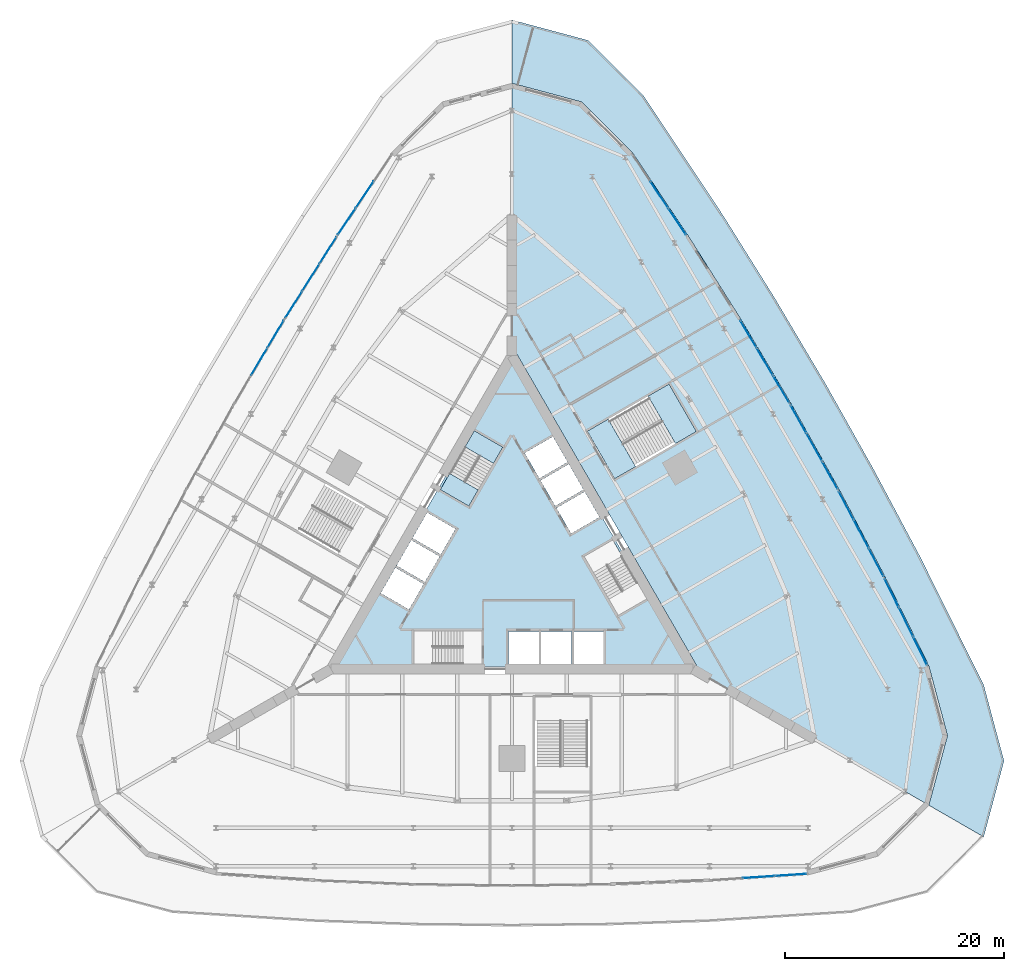
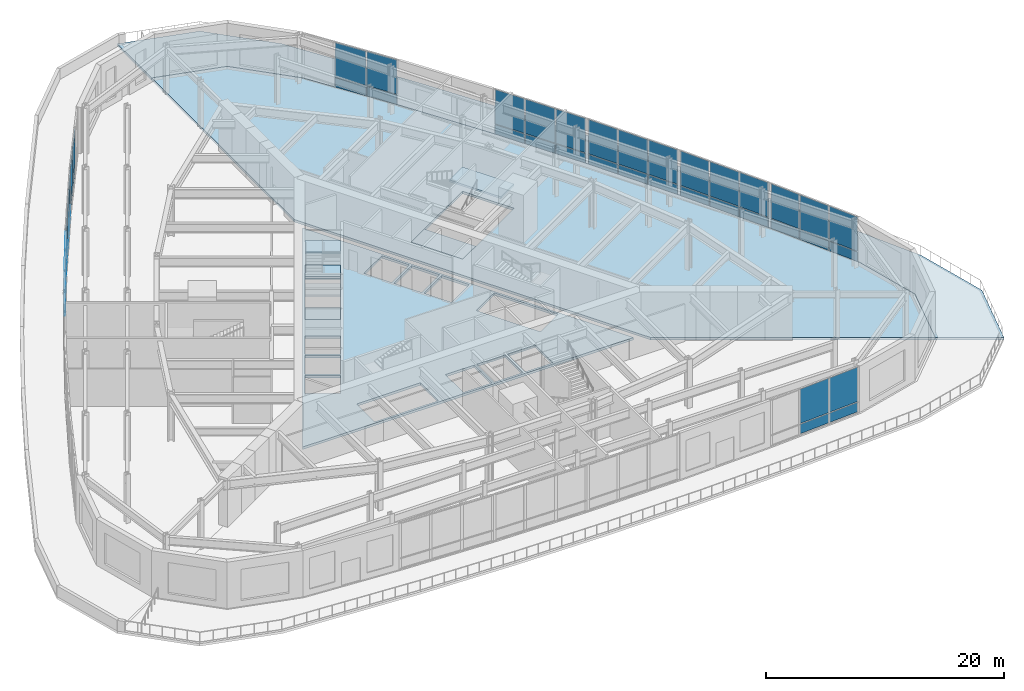
# One storey, part 11 of 20: 46 plates, 9 slabs, 11 elements without a shape of their own.
"""IFC4 building model written with IfcOpenShell, lengths in metres."""

from ifc_helpers import new_model, si_unit, direction, frame, origin, origin_2d, place, context, subcontext, project, spatial, polyline, rectangle, outline, extrude, material, layer, layer_set, type_object, element, aggregate, save


model = new_model("IFC4")

# Units and contexts
model_context = context("Model", 3, precision=1e-05, world=origin(), true_north=direction((0.0, 1.0)))
body_context = subcontext(model_context, "Body", "Model", "MODEL_VIEW")
ifc_project = project(units=[si_unit("LENGTHUNIT", "METRE"), si_unit("AREAUNIT", "SQUARE_METRE"), si_unit("VOLUMEUNIT", "CUBIC_METRE"), si_unit("PLANEANGLEUNIT", "RADIAN"), si_unit("MASSUNIT", "GRAM", prefix="KILO")], contexts=[model_context])

# Site, building, storey
site_placement = place(None, origin())
site = spatial("IfcSite", under=ifc_project, at=site_placement, CompositionType="ELEMENT")
building_placement = place(site_placement, origin())
building = spatial("IfcBuilding", under=site, at=building_placement, Name="Trikona Tower", CompositionType="ELEMENT")
storey_placement = place(building_placement, frame((0.0, 0.0, 6.0)))
storey = spatial("IfcBuildingStorey", under=building, at=storey_placement, Name="L01", CompositionType="ELEMENT", Elevation=6.0)

# Slabs
ifc_material_1 = material(Name="Concrete f'c 5000 psi lightweight on composite steel deck", Category="concrete")
ifc_layer_1 = layer(ifc_material_1, 0.25)
ifc_layer_set_1 = layer_set([ifc_layer_1], Name="Composite floor slab 250")
slab_type_1 = type_object("IfcSlabType", Name="Composite floor slab 250", PredefinedType="FLOOR", material=ifc_layer_set_1)
slab_1_placement = place(storey_placement, frame((0.0, 0.0, -0.25)))
element("IfcSlab", 1, at=slab_1_placement, inside=storey, type_object=slab_type_1, Name="Floor slab L01 core", PredefinedType="FLOOR", context=body_context, shape_type="SweptSolid", body=[
    extrude(outline(polyline([(-16.06689453125, -9.2763671875), (16.06689453125, -9.2763671875), (0.0, 18.552490234375), (-16.06689453125, -9.2763671875)]), holes=[polyline([(9.687255859375, -4.626220703125), (12.285400390625, -3.126220703125), (9.185302734375, 2.2431640625), (6.587158203125, 0.7431640625), (9.687255859375, -4.626220703125)]), polyline([(5.659912109375, -9.06640625), (8.340087890625, -9.06640625), (8.340087890625, -6.086181640625), (5.659912109375, -6.086181640625), (5.659912109375, -9.06640625)]), polyline([(4.05078125, 5.15625), (5.390869140625, 2.835205078125), (7.9716796875, 4.3251953125), (6.631591796875, 6.646240234375), (4.05078125, 5.15625)]), polyline([(5.181640625, 9.15771484375), (2.600830078125, 7.667724609375), (3.94091796875, 5.3466796875), (6.521484375, 6.8369140625), (5.181640625, 9.15771484375)]), polyline([(5.43994140625, -9.06640625), (5.43994140625, -6.086181640625), (2.659912109375, -6.086181640625), (2.659912109375, -9.06640625), (5.43994140625, -9.06640625)]), polyline([(5.071533203125, 9.34814453125), (3.731689453125, 11.669189453125), (1.15087890625, 10.17919921875), (2.490966796875, 7.858154296875), (5.071533203125, 9.34814453125)]), polyline([(2.43994140625, -6.086181640625), (-0.340087890625, -6.086181640625), (-0.340087890625, -9.06640625), (2.43994140625, -9.06640625), (2.43994140625, -6.086181640625)]), polyline([(-0.837158203125, 10.702392578125), (-3.435302734375, 12.202392578125), (-6.535400390625, 6.8330078125), (-3.937255859375, 5.3330078125), (-0.837158203125, 10.702392578125)]), polyline([(-8.949951171875, -6.076416015625), (-8.949951171875, -9.076416015625), (-2.75, -9.076416015625), (-2.75, -6.076416015625), (-8.949951171875, -6.076416015625)]), polyline([(-6.490966796875, 0.929931640625), (-5.15087890625, 3.2509765625), (-7.731689453125, 4.740966796875), (-9.071533203125, 2.419921875), (-6.490966796875, 0.929931640625)]), polyline([(-10.521484375, -0.09130859375), (-7.94091796875, -1.581298828125), (-6.600830078125, 0.739501953125), (-9.181640625, 2.2294921875), (-10.521484375, -0.09130859375)]), polyline([(-10.631591796875, -0.281982421875), (-11.9716796875, -2.602783203125), (-9.390869140625, -4.093017578125), (-8.05078125, -1.77197265625), (-10.631591796875, -0.281982421875)])]), origin(), (0.0, 0.0, 1.0), 0.25),
])
slab_2_placement = place(storey_placement, frame((0.0, 0.0, -0.25)))
element("IfcSlab", 2, at=slab_2_placement, inside=storey, type_object=slab_type_1, Name="Floor slab L01 north-east", PredefinedType="FLOOR", context=body_context, shape_type="SweptSolid", body=[
    extrude(outline(polyline([(25.435302734375, 14.68505859375), (20.831298828125, 22.419189453125), (16.01953125, 30.033447265625), (11.0, 37.52783203125), (6.350830078125, 42.177001953125), (0.0, 43.878662109375), (0.0, 19.95263671875), (17.279296875, -9.976318359375), (38.0, -21.939208984375), (39.70166015625, -15.58837890625), (38.0, -9.237548828125), (34.01953125, -1.143310546875), (29.831298828125, 6.830810546875), (25.435302734375, 14.68505859375)]), holes=[polyline([(9.364990234375, 7.831787109375), (16.81298828125, 12.1318359375), (14.31298828125, 16.4619140625), (6.864990234375, 12.161865234375), (9.364990234375, 7.831787109375)])]), origin(), (0.0, 0.0, 1.0), 0.25),
])

# Curtain wall, plates
ifc_material_2 = material(Name="Aluminium curtain wall system", Category="aluminium")
curtain_wall_type = type_object("IfcCurtainWallType", Name="Curtain wall PD", PredefinedType="NOTDEFINED", material=ifc_material_2)
curtain_wall_1_placement = place(storey_placement, origin())
curtain_wall_1 = element("IfcCurtainWall", 3, at=curtain_wall_1_placement, inside=storey, type_object=curtain_wall_type, Name="Curtain wall PD L01", PredefinedType="NOTDEFINED")
ifc_material_3 = material(Name="Clear insulating glass unit", Category="glass")
ifc_layer_2 = layer(ifc_material_3, 0.028076171875)
ifc_layer_set_2 = layer_set([ifc_layer_2], Name="Glass panel PD")
plate_type = type_object("IfcPlateType", Name="Glass panel PD", PredefinedType="CURTAIN_PANEL", material=ifc_layer_set_2)
plate_1_placement = place(storey_placement, frame((22.493408203125, -28.490478515625, 0.08984375), z_axis=(0.0, 0.0, 1.0), x_axis=(0.997785307004, 0.066516773278, 0.0)))
plate_1 = element("IfcPlate", 4, at=plate_1_placement, type_object=plate_type, Name="CW-PD panel 2.1", PredefinedType="CURTAIN_PANEL", context=body_context, shape_type="SweptSolid", body=[
    extrude(rectangle(XDim=2.876708984375, YDim=0.028076171875, at=origin_2d()), origin(), (0.0, 0.0, 1.0), 0.965087890625),
])
plate_2_placement = place(storey_placement, frame((22.493408203125, -28.490478515625, 1.14501953125), z_axis=(0.0, 0.0, 1.0), x_axis=(0.997785307004, 0.066516773278, 0.0)))
plate_2 = element("IfcPlate", 5, at=plate_2_placement, type_object=plate_type, Name="CW-PD panel 2.2", PredefinedType="CURTAIN_PANEL", context=body_context, shape_type="SweptSolid", body=[
    extrude(rectangle(XDim=2.876708984375, YDim=0.028076171875, at=origin_2d()), origin(), (0.0, 0.0, 1.0), 3.514892578125),
])
plate_3_placement = place(storey_placement, frame((25.430908203125, -28.294677734375, 0.08984375), z_axis=(0.0, 0.0, 1.0), x_axis=(0.997785307004, 0.066516773278, 0.0)))
plate_3 = element("IfcPlate", 6, at=plate_3_placement, type_object=plate_type, Name="CW-PD panel 3.1", PredefinedType="CURTAIN_PANEL", context=body_context, shape_type="SweptSolid", body=[
    extrude(rectangle(XDim=2.831787109375, YDim=0.028076171875, at=origin_2d()), origin(), (0.0, 0.0, 1.0), 0.965087890625),
])
plate_4_placement = place(storey_placement, frame((25.430908203125, -28.294677734375, 1.14501953125), z_axis=(0.0, 0.0, 1.0), x_axis=(0.997785307004, 0.066516773278, 0.0)))
plate_4 = element("IfcPlate", 7, at=plate_4_placement, type_object=plate_type, Name="CW-PD panel 3.2", PredefinedType="CURTAIN_PANEL", context=body_context, shape_type="SweptSolid", body=[
    extrude(rectangle(XDim=2.831787109375, YDim=0.028076171875, at=origin_2d()), origin(), (0.0, 0.0, 1.0), 3.514892578125),
])
aggregate(curtain_wall_1, [plate_1, plate_2, plate_3, plate_4])

curtain_wall_2_placement = place(storey_placement, origin())
curtain_wall_2 = element("IfcCurtainWall", 8, at=curtain_wall_2_placement, inside=storey, type_object=curtain_wall_type, Name="Curtain wall PD L01", PredefinedType="NOTDEFINED")
plate_5_placement = place(storey_placement, frame((37.21923828125, -7.876708984375, 0.08984375), z_axis=(0.0, 0.0, 1.0), x_axis=(-0.44129369895, 0.897362731155, 0.0)))
plate_5 = element("IfcPlate", 9, at=plate_5_placement, type_object=plate_type, Name="CW-PD panel 1.1", PredefinedType="CURTAIN_PANEL", context=body_context, shape_type="SweptSolid", body=[
    extrude(rectangle(XDim=2.83154296875, YDim=0.028076171875, at=origin_2d()), origin(), (0.0, 0.0, 1.0), 0.965087890625),
])
plate_6_placement = place(storey_placement, frame((37.21923828125, -7.876708984375, 1.14501953125), z_axis=(0.0, 0.0, 1.0), x_axis=(-0.44129369895, 0.897362731155, 0.0)))
plate_6 = element("IfcPlate", 10, at=plate_6_placement, type_object=plate_type, Name="CW-PD panel 1.2", PredefinedType="CURTAIN_PANEL", context=body_context, shape_type="SweptSolid", body=[
    extrude(rectangle(XDim=2.83154296875, YDim=0.028076171875, at=origin_2d()), origin(), (0.0, 0.0, 1.0), 3.514892578125),
])
plate_7_placement = place(storey_placement, frame((35.920166015625, -5.234619140625, 0.08984375), z_axis=(0.0, 0.0, 1.0), x_axis=(-0.44129369895, 0.897362731155, 0.0)))
plate_7 = element("IfcPlate", 11, at=plate_7_placement, type_object=plate_type, Name="CW-PD panel 2.1", PredefinedType="CURTAIN_PANEL", context=body_context, shape_type="SweptSolid", body=[
    extrude(rectangle(XDim=2.876708984375, YDim=0.028076171875, at=origin_2d()), origin(), (0.0, 0.0, 1.0), 0.965087890625),
])
plate_8_placement = place(storey_placement, frame((35.920166015625, -5.234619140625, 1.14501953125), z_axis=(0.0, 0.0, 1.0), x_axis=(-0.44129369895, 0.897362731155, 0.0)))
plate_8 = element("IfcPlate", 12, at=plate_8_placement, type_object=plate_type, Name="CW-PD panel 2.2", PredefinedType="CURTAIN_PANEL", context=body_context, shape_type="SweptSolid", body=[
    extrude(rectangle(XDim=2.876708984375, YDim=0.028076171875, at=origin_2d()), origin(), (0.0, 0.0, 1.0), 3.514892578125),
])
plate_9_placement = place(storey_placement, frame((34.620849609375, -2.5927734375, 0.08984375), z_axis=(0.0, 0.0, 1.0), x_axis=(-0.44129369895, 0.897362731155, 0.0)))
plate_9 = element("IfcPlate", 13, at=plate_9_placement, type_object=plate_type, Name="CW-PD panel 3.1", PredefinedType="CURTAIN_PANEL", context=body_context, shape_type="SweptSolid", body=[
    extrude(rectangle(XDim=2.83154296875, YDim=0.028076171875, at=origin_2d()), origin(), (0.0, 0.0, 1.0), 0.965087890625),
])
plate_10_placement = place(storey_placement, frame((34.620849609375, -2.5927734375, 1.14501953125), z_axis=(0.0, 0.0, 1.0), x_axis=(-0.44129369895, 0.897362731155, 0.0)))
plate_10 = element("IfcPlate", 14, at=plate_10_placement, type_object=plate_type, Name="CW-PD panel 3.2", PredefinedType="CURTAIN_PANEL", context=body_context, shape_type="SweptSolid", body=[
    extrude(rectangle(XDim=2.83154296875, YDim=0.028076171875, at=origin_2d()), origin(), (0.0, 0.0, 1.0), 3.514892578125),
])
aggregate(curtain_wall_2, [plate_5, plate_6, plate_7, plate_8, plate_9, plate_10])

curtain_wall_3_placement = place(storey_placement, origin())
curtain_wall_3 = element("IfcCurtainWall", 15, at=curtain_wall_3_placement, inside=storey, type_object=curtain_wall_type, Name="Curtain wall PD L01", PredefinedType="NOTDEFINED")
plate_11_placement = place(storey_placement, frame((33.2041015625, 0.194580078125, 0.08984375), z_axis=(0.0, 0.0, 1.0), x_axis=(-0.464979215476, 0.88532159647, 0.0)))
plate_11 = element("IfcPlate", 16, at=plate_11_placement, type_object=plate_type, Name="CW-PD panel 1.1", PredefinedType="CURTAIN_PANEL", context=body_context, shape_type="SweptSolid", body=[
    extrude(rectangle(XDim=2.827392578125, YDim=0.028076171875, at=origin_2d()), origin(), (0.0, 0.0, 1.0), 0.965087890625),
])
plate_12_placement = place(storey_placement, frame((33.2041015625, 0.194580078125, 1.14501953125), z_axis=(0.0, 0.0, 1.0), x_axis=(-0.464979215476, 0.88532159647, 0.0)))
plate_12 = element("IfcPlate", 17, at=plate_12_placement, type_object=plate_type, Name="CW-PD panel 1.2", PredefinedType="CURTAIN_PANEL", context=body_context, shape_type="SweptSolid", body=[
    extrude(rectangle(XDim=2.827392578125, YDim=0.028076171875, at=origin_2d()), origin(), (0.0, 0.0, 1.0), 3.514892578125),
])
plate_13_placement = place(storey_placement, frame((31.8369140625, 2.79736328125, 0.08984375), z_axis=(0.0, 0.0, 1.0), x_axis=(-0.464979215476, 0.88532159647, 0.0)))
plate_13 = element("IfcPlate", 18, at=plate_13_placement, type_object=plate_type, Name="CW-PD panel 2.1", PredefinedType="CURTAIN_PANEL", context=body_context, shape_type="SweptSolid", body=[
    extrude(rectangle(XDim=2.872314453125, YDim=0.028076171875, at=origin_2d()), origin(), (0.0, 0.0, 1.0), 0.965087890625),
])
plate_14_placement = place(storey_placement, frame((31.8369140625, 2.79736328125, 1.14501953125), z_axis=(0.0, 0.0, 1.0), x_axis=(-0.464979215476, 0.88532159647, 0.0)))
plate_14 = element("IfcPlate", 19, at=plate_14_placement, type_object=plate_type, Name="CW-PD panel 2.2", PredefinedType="CURTAIN_PANEL", context=body_context, shape_type="SweptSolid", body=[
    extrude(rectangle(XDim=2.872314453125, YDim=0.028076171875, at=origin_2d()), origin(), (0.0, 0.0, 1.0), 3.514892578125),
])
plate_15_placement = place(storey_placement, frame((30.469970703125, 5.400146484375, 0.08984375), z_axis=(0.0, 0.0, 1.0), x_axis=(-0.464979215476, 0.88532159647, 0.0)))
plate_15 = element("IfcPlate", 20, at=plate_15_placement, type_object=plate_type, Name="CW-PD panel 3.1", PredefinedType="CURTAIN_PANEL", context=body_context, shape_type="SweptSolid", body=[
    extrude(rectangle(XDim=2.827392578125, YDim=0.028076171875, at=origin_2d()), origin(), (0.0, 0.0, 1.0), 0.965087890625),
])
plate_16_placement = place(storey_placement, frame((30.469970703125, 5.400146484375, 1.14501953125), z_axis=(0.0, 0.0, 1.0), x_axis=(-0.464979215476, 0.88532159647, 0.0)))
plate_16 = element("IfcPlate", 21, at=plate_16_placement, type_object=plate_type, Name="CW-PD panel 3.2", PredefinedType="CURTAIN_PANEL", context=body_context, shape_type="SweptSolid", body=[
    extrude(rectangle(XDim=2.827392578125, YDim=0.028076171875, at=origin_2d()), origin(), (0.0, 0.0, 1.0), 3.514892578125),
])
aggregate(curtain_wall_3, [plate_11, plate_12, plate_13, plate_14, plate_15, plate_16])

curtain_wall_4_placement = place(storey_placement, origin())
curtain_wall_4 = element("IfcCurtainWall", 22, at=curtain_wall_4_placement, inside=storey, type_object=curtain_wall_type, Name="Curtain wall PD L01", PredefinedType="NOTDEFINED")
plate_17_placement = place(storey_placement, frame((28.98095703125, 8.1455078125, 0.08984375), z_axis=(0.0, 0.0, 1.0), x_axis=(-0.488413057825, 0.872612562908, 0.0)))
plate_17 = element("IfcPlate", 23, at=plate_17_placement, type_object=plate_type, Name="CW-PD panel 1.1", PredefinedType="CURTAIN_PANEL", context=body_context, shape_type="SweptSolid", body=[
    extrude(rectangle(XDim=2.8251953125, YDim=0.028076171875, at=origin_2d()), origin(), (0.0, 0.0, 1.0), 0.965087890625),
])
plate_18_placement = place(storey_placement, frame((28.98095703125, 8.1455078125, 1.14501953125), z_axis=(0.0, 0.0, 1.0), x_axis=(-0.488413057825, 0.872612562908, 0.0)))
plate_18 = element("IfcPlate", 24, at=plate_18_placement, type_object=plate_type, Name="CW-PD panel 1.2", PredefinedType="CURTAIN_PANEL", context=body_context, shape_type="SweptSolid", body=[
    extrude(rectangle(XDim=2.8251953125, YDim=0.028076171875, at=origin_2d()), origin(), (0.0, 0.0, 1.0), 3.514892578125),
])
plate_19_placement = place(storey_placement, frame((27.546142578125, 10.709228515625, 0.08984375), z_axis=(0.0, 0.0, 1.0), x_axis=(-0.488413057825, 0.872612562908, 0.0)))
plate_19 = element("IfcPlate", 25, at=plate_19_placement, type_object=plate_type, Name="CW-PD panel 2.1", PredefinedType="CURTAIN_PANEL", context=body_context, shape_type="SweptSolid", body=[
    extrude(rectangle(XDim=2.870361328125, YDim=0.028076171875, at=origin_2d()), origin(), (0.0, 0.0, 1.0), 0.965087890625),
])
plate_20_placement = place(storey_placement, frame((27.546142578125, 10.709228515625, 1.14501953125), z_axis=(0.0, 0.0, 1.0), x_axis=(-0.488413057825, 0.872612562908, 0.0)))
plate_20 = element("IfcPlate", 26, at=plate_20_placement, type_object=plate_type, Name="CW-PD panel 2.2", PredefinedType="CURTAIN_PANEL", context=body_context, shape_type="SweptSolid", body=[
    extrude(rectangle(XDim=2.870361328125, YDim=0.028076171875, at=origin_2d()), origin(), (0.0, 0.0, 1.0), 3.514892578125),
])
plate_21_placement = place(storey_placement, frame((26.111083984375, 13.272705078125, 0.08984375), z_axis=(0.0, 0.0, 1.0), x_axis=(-0.488413057825, 0.872612562908, 0.0)))
plate_21 = element("IfcPlate", 27, at=plate_21_placement, type_object=plate_type, Name="CW-PD panel 3.1", PredefinedType="CURTAIN_PANEL", context=body_context, shape_type="SweptSolid", body=[
    extrude(rectangle(XDim=2.8251953125, YDim=0.028076171875, at=origin_2d()), origin(), (0.0, 0.0, 1.0), 0.965087890625),
])
plate_22_placement = place(storey_placement, frame((26.111083984375, 13.272705078125, 1.14501953125), z_axis=(0.0, 0.0, 1.0), x_axis=(-0.488413057825, 0.872612562908, 0.0)))
plate_22 = element("IfcPlate", 28, at=plate_22_placement, type_object=plate_type, Name="CW-PD panel 3.2", PredefinedType="CURTAIN_PANEL", context=body_context, shape_type="SweptSolid", body=[
    extrude(rectangle(XDim=2.8251953125, YDim=0.028076171875, at=origin_2d()), origin(), (0.0, 0.0, 1.0), 3.514892578125),
])
aggregate(curtain_wall_4, [plate_17, plate_18, plate_19, plate_20, plate_21, plate_22])

curtain_wall_5_placement = place(storey_placement, origin())
curtain_wall_5 = element("IfcCurtainWall", 29, at=curtain_wall_5_placement, inside=storey, type_object=curtain_wall_type, Name="Curtain wall PD L01", PredefinedType="NOTDEFINED")
plate_23_placement = place(storey_placement, frame((24.550048828125, 15.9765625, 0.08984375), z_axis=(0.0, 0.0, 1.0), x_axis=(-0.511498706873, 0.859284046673, 0.0)))
plate_23 = element("IfcPlate", 30, at=plate_23_placement, type_object=plate_type, Name="CW-PD panel 1.1", PredefinedType="CURTAIN_PANEL", context=body_context, shape_type="SweptSolid", body=[
    extrude(rectangle(XDim=2.8251953125, YDim=0.028076171875, at=origin_2d()), origin(), (0.0, 0.0, 1.0), 0.965087890625),
])
plate_24_placement = place(storey_placement, frame((24.550048828125, 15.9765625, 1.14501953125), z_axis=(0.0, 0.0, 1.0), x_axis=(-0.511498706873, 0.859284046673, 0.0)))
plate_24 = element("IfcPlate", 31, at=plate_24_placement, type_object=plate_type, Name="CW-PD panel 1.2", PredefinedType="CURTAIN_PANEL", context=body_context, shape_type="SweptSolid", body=[
    extrude(rectangle(XDim=2.8251953125, YDim=0.028076171875, at=origin_2d()), origin(), (0.0, 0.0, 1.0), 3.514892578125),
])
plate_25_placement = place(storey_placement, frame((23.04736328125, 18.5009765625, 0.08984375), z_axis=(0.0, 0.0, 1.0), x_axis=(-0.511498706873, 0.859284046673, 0.0)))
plate_25 = element("IfcPlate", 32, at=plate_25_placement, type_object=plate_type, Name="CW-PD panel 2.1", PredefinedType="CURTAIN_PANEL", context=body_context, shape_type="SweptSolid", body=[
    extrude(rectangle(XDim=2.870361328125, YDim=0.028076171875, at=origin_2d()), origin(), (0.0, 0.0, 1.0), 0.965087890625),
])
plate_26_placement = place(storey_placement, frame((23.04736328125, 18.5009765625, 1.14501953125), z_axis=(0.0, 0.0, 1.0), x_axis=(-0.511498706873, 0.859284046673, 0.0)))
plate_26 = element("IfcPlate", 33, at=plate_26_placement, type_object=plate_type, Name="CW-PD panel 2.2", PredefinedType="CURTAIN_PANEL", context=body_context, shape_type="SweptSolid", body=[
    extrude(rectangle(XDim=2.870361328125, YDim=0.028076171875, at=origin_2d()), origin(), (0.0, 0.0, 1.0), 3.514892578125),
])
plate_27_placement = place(storey_placement, frame((21.544677734375, 21.025390625, 0.08984375), z_axis=(0.0, 0.0, 1.0), x_axis=(-0.511498706873, 0.859284046673, 0.0)))
plate_27 = element("IfcPlate", 34, at=plate_27_placement, type_object=plate_type, Name="CW-PD panel 3.1", PredefinedType="CURTAIN_PANEL", context=body_context, shape_type="SweptSolid", body=[
    extrude(rectangle(XDim=2.8251953125, YDim=0.028076171875, at=origin_2d()), origin(), (0.0, 0.0, 1.0), 0.965087890625),
])
plate_28_placement = place(storey_placement, frame((21.544677734375, 21.025390625, 1.14501953125), z_axis=(0.0, 0.0, 1.0), x_axis=(-0.511498706873, 0.859284046673, 0.0)))
plate_28 = element("IfcPlate", 35, at=plate_28_placement, type_object=plate_type, Name="CW-PD panel 3.2", PredefinedType="CURTAIN_PANEL", context=body_context, shape_type="SweptSolid", body=[
    extrude(rectangle(XDim=2.8251953125, YDim=0.028076171875, at=origin_2d()), origin(), (0.0, 0.0, 1.0), 3.514892578125),
])
aggregate(curtain_wall_5, [plate_23, plate_24, plate_25, plate_26, plate_27, plate_28])

curtain_wall_6_placement = place(storey_placement, origin())
curtain_wall_6 = element("IfcCurtainWall", 36, at=curtain_wall_6_placement, inside=storey, type_object=curtain_wall_type, Name="Curtain wall PD L01", PredefinedType="NOTDEFINED")
plate_29_placement = place(storey_placement, frame((15.065185546875, 31.27880859375, 0.08984375), z_axis=(0.0, 0.0, 1.0), x_axis=(-0.556493198213, 0.830852165155, 0.0)))
plate_29 = element("IfcPlate", 37, at=plate_29_placement, type_object=plate_type, Name="CW-PD panel 1.1", PredefinedType="CURTAIN_PANEL", context=body_context, shape_type="SweptSolid", body=[
    extrude(rectangle(XDim=2.831787109375, YDim=0.028076171875, at=origin_2d()), origin(), (0.0, 0.0, 1.0), 0.965087890625),
])
plate_30_placement = place(storey_placement, frame((15.065185546875, 31.27880859375, 1.14501953125), z_axis=(0.0, 0.0, 1.0), x_axis=(-0.556493198213, 0.830852165155, 0.0)))
plate_30 = element("IfcPlate", 38, at=plate_30_placement, type_object=plate_type, Name="CW-PD panel 1.2", PredefinedType="CURTAIN_PANEL", context=body_context, shape_type="SweptSolid", body=[
    extrude(rectangle(XDim=2.831787109375, YDim=0.028076171875, at=origin_2d()), origin(), (0.0, 0.0, 1.0), 3.514892578125),
])
plate_31_placement = place(storey_placement, frame((13.4267578125, 33.72509765625, 0.08984375), z_axis=(0.0, 0.0, 1.0), x_axis=(-0.556493198213, 0.830852165155, 0.0)))
plate_31 = element("IfcPlate", 39, at=plate_31_placement, type_object=plate_type, Name="CW-PD panel 2.1", PredefinedType="CURTAIN_PANEL", context=body_context, shape_type="SweptSolid", body=[
    extrude(rectangle(XDim=2.876708984375, YDim=0.028076171875, at=origin_2d()), origin(), (0.0, 0.0, 1.0), 0.965087890625),
])
plate_32_placement = place(storey_placement, frame((13.4267578125, 33.72509765625, 1.14501953125), z_axis=(0.0, 0.0, 1.0), x_axis=(-0.556493198213, 0.830852165155, 0.0)))
plate_32 = element("IfcPlate", 40, at=plate_32_placement, type_object=plate_type, Name="CW-PD panel 2.2", PredefinedType="CURTAIN_PANEL", context=body_context, shape_type="SweptSolid", body=[
    extrude(rectangle(XDim=2.876708984375, YDim=0.028076171875, at=origin_2d()), origin(), (0.0, 0.0, 1.0), 3.514892578125),
])
aggregate(curtain_wall_6, [plate_29, plate_30, plate_31, plate_32])

curtain_wall_7_placement = place(storey_placement, origin())
curtain_wall_7 = element("IfcCurtainWall", 41, at=curtain_wall_7_placement, inside=storey, type_object=curtain_wall_type, Name="Curtain wall PD L01", PredefinedType="NOTDEFINED")
plate_33_placement = place(storey_placement, frame((-13.4267578125, 33.72509765625, 0.08984375), z_axis=(0.0, 0.0, 1.0), x_axis=(-0.556493198213, -0.830852165155, 0.0)))
plate_33 = element("IfcPlate", 42, at=plate_33_placement, type_object=plate_type, Name="CW-PD panel 2.1", PredefinedType="CURTAIN_PANEL", context=body_context, shape_type="SweptSolid", body=[
    extrude(rectangle(XDim=2.876708984375, YDim=0.028076171875, at=origin_2d()), origin(), (0.0, 0.0, 1.0), 0.965087890625),
])
plate_34_placement = place(storey_placement, frame((-13.4267578125, 33.72509765625, 1.14501953125), z_axis=(0.0, 0.0, 1.0), x_axis=(-0.556493198213, -0.830852165155, 0.0)))
plate_34 = element("IfcPlate", 43, at=plate_34_placement, type_object=plate_type, Name="CW-PD panel 2.2", PredefinedType="CURTAIN_PANEL", context=body_context, shape_type="SweptSolid", body=[
    extrude(rectangle(XDim=2.876708984375, YDim=0.028076171875, at=origin_2d()), origin(), (0.0, 0.0, 1.0), 3.514892578125),
])
plate_35_placement = place(storey_placement, frame((-15.065185546875, 31.27880859375, 0.08984375), z_axis=(0.0, 0.0, 1.0), x_axis=(-0.556493198213, -0.830852165155, 0.0)))
plate_35 = element("IfcPlate", 44, at=plate_35_placement, type_object=plate_type, Name="CW-PD panel 3.1", PredefinedType="CURTAIN_PANEL", context=body_context, shape_type="SweptSolid", body=[
    extrude(rectangle(XDim=2.831787109375, YDim=0.028076171875, at=origin_2d()), origin(), (0.0, 0.0, 1.0), 0.965087890625),
])
plate_36_placement = place(storey_placement, frame((-15.065185546875, 31.27880859375, 1.14501953125), z_axis=(0.0, 0.0, 1.0), x_axis=(-0.556493198213, -0.830852165155, 0.0)))
plate_36 = element("IfcPlate", 45, at=plate_36_placement, type_object=plate_type, Name="CW-PD panel 3.2", PredefinedType="CURTAIN_PANEL", context=body_context, shape_type="SweptSolid", body=[
    extrude(rectangle(XDim=2.831787109375, YDim=0.028076171875, at=origin_2d()), origin(), (0.0, 0.0, 1.0), 3.514892578125),
])
aggregate(curtain_wall_7, [plate_33, plate_34, plate_35, plate_36])

curtain_wall_8_placement = place(storey_placement, origin())
curtain_wall_8 = element("IfcCurtainWall", 46, at=curtain_wall_8_placement, inside=storey, type_object=curtain_wall_type, Name="Curtain wall PD L01", PredefinedType="NOTDEFINED")
plate_37_placement = place(storey_placement, frame((-16.7705078125, 28.658203125, 0.08984375), z_axis=(0.0, 0.0, 1.0), x_axis=(-0.534216076365, -0.845347966079, 0.0)))
plate_37 = element("IfcPlate", 47, at=plate_37_placement, type_object=plate_type, Name="CW-PD panel 1.1", PredefinedType="CURTAIN_PANEL", context=body_context, shape_type="SweptSolid", body=[
    extrude(rectangle(XDim=2.827392578125, YDim=0.028076171875, at=origin_2d()), origin(), (0.0, 0.0, 1.0), 0.965087890625),
])
plate_38_placement = place(storey_placement, frame((-16.7705078125, 28.658203125, 1.14501953125), z_axis=(0.0, 0.0, 1.0), x_axis=(-0.534216076365, -0.845347966079, 0.0)))
plate_38 = element("IfcPlate", 48, at=plate_38_placement, type_object=plate_type, Name="CW-PD panel 1.2", PredefinedType="CURTAIN_PANEL", context=body_context, shape_type="SweptSolid", body=[
    extrude(rectangle(XDim=2.827392578125, YDim=0.028076171875, at=origin_2d()), origin(), (0.0, 0.0, 1.0), 3.514892578125),
])
plate_39_placement = place(storey_placement, frame((-18.341064453125, 26.173095703125, 0.08984375), z_axis=(0.0, 0.0, 1.0), x_axis=(-0.534216076365, -0.845347966079, 0.0)))
plate_39 = element("IfcPlate", 49, at=plate_39_placement, type_object=plate_type, Name="CW-PD panel 2.1", PredefinedType="CURTAIN_PANEL", context=body_context, shape_type="SweptSolid", body=[
    extrude(rectangle(XDim=2.872314453125, YDim=0.028076171875, at=origin_2d()), origin(), (0.0, 0.0, 1.0), 0.965087890625),
])
plate_40_placement = place(storey_placement, frame((-18.341064453125, 26.173095703125, 1.14501953125), z_axis=(0.0, 0.0, 1.0), x_axis=(-0.534216076365, -0.845347966079, 0.0)))
plate_40 = element("IfcPlate", 50, at=plate_40_placement, type_object=plate_type, Name="CW-PD panel 2.2", PredefinedType="CURTAIN_PANEL", context=body_context, shape_type="SweptSolid", body=[
    extrude(rectangle(XDim=2.872314453125, YDim=0.028076171875, at=origin_2d()), origin(), (0.0, 0.0, 1.0), 3.514892578125),
])
plate_41_placement = place(storey_placement, frame((-19.911376953125, 23.687744140625, 0.08984375), z_axis=(0.0, 0.0, 1.0), x_axis=(-0.534216076365, -0.845347966079, 0.0)))
plate_41 = element("IfcPlate", 51, at=plate_41_placement, type_object=plate_type, Name="CW-PD panel 3.1", PredefinedType="CURTAIN_PANEL", context=body_context, shape_type="SweptSolid", body=[
    extrude(rectangle(XDim=2.827392578125, YDim=0.028076171875, at=origin_2d()), origin(), (0.0, 0.0, 1.0), 0.965087890625),
])
plate_42_placement = place(storey_placement, frame((-19.911376953125, 23.687744140625, 1.14501953125), z_axis=(0.0, 0.0, 1.0), x_axis=(-0.534216076365, -0.845347966079, 0.0)))
plate_42 = element("IfcPlate", 52, at=plate_42_placement, type_object=plate_type, Name="CW-PD panel 3.2", PredefinedType="CURTAIN_PANEL", context=body_context, shape_type="SweptSolid", body=[
    extrude(rectangle(XDim=2.827392578125, YDim=0.028076171875, at=origin_2d()), origin(), (0.0, 0.0, 1.0), 3.514892578125),
])
aggregate(curtain_wall_8, [plate_37, plate_38, plate_39, plate_40, plate_41, plate_42])

curtain_wall_9_placement = place(storey_placement, origin())
curtain_wall_9 = element("IfcCurtainWall", 53, at=curtain_wall_9_placement, inside=storey, type_object=curtain_wall_type, Name="Curtain wall PD L01", PredefinedType="NOTDEFINED")
plate_43_placement = place(storey_placement, frame((-21.544677734375, 21.025390625, 0.08984375), z_axis=(0.0, 0.0, 1.0), x_axis=(-0.511498706873, -0.859284046673, 0.0)))
plate_43 = element("IfcPlate", 54, at=plate_43_placement, type_object=plate_type, Name="CW-PD panel 1.1", PredefinedType="CURTAIN_PANEL", context=body_context, shape_type="SweptSolid", body=[
    extrude(rectangle(XDim=2.8251953125, YDim=0.028076171875, at=origin_2d()), origin(), (0.0, 0.0, 1.0), 0.965087890625),
])
plate_44_placement = place(storey_placement, frame((-21.544677734375, 21.025390625, 1.14501953125), z_axis=(0.0, 0.0, 1.0), x_axis=(-0.511498706873, -0.859284046673, 0.0)))
plate_44 = element("IfcPlate", 55, at=plate_44_placement, type_object=plate_type, Name="CW-PD panel 1.2", PredefinedType="CURTAIN_PANEL", context=body_context, shape_type="SweptSolid", body=[
    extrude(rectangle(XDim=2.8251953125, YDim=0.028076171875, at=origin_2d()), origin(), (0.0, 0.0, 1.0), 3.514892578125),
])
plate_45_placement = place(storey_placement, frame((-23.04736328125, 18.5009765625, 0.08984375), z_axis=(0.0, 0.0, 1.0), x_axis=(-0.511498706873, -0.859284046673, 0.0)))
plate_45 = element("IfcPlate", 56, at=plate_45_placement, type_object=plate_type, Name="CW-PD panel 2.1", PredefinedType="CURTAIN_PANEL", context=body_context, shape_type="SweptSolid", body=[
    extrude(rectangle(XDim=2.870361328125, YDim=0.028076171875, at=origin_2d()), origin(), (0.0, 0.0, 1.0), 0.965087890625),
])
plate_46_placement = place(storey_placement, frame((-23.04736328125, 18.5009765625, 1.14501953125), z_axis=(0.0, 0.0, 1.0), x_axis=(-0.511498706873, -0.859284046673, 0.0)))
plate_46 = element("IfcPlate", 57, at=plate_46_placement, type_object=plate_type, Name="CW-PD panel 2.2", PredefinedType="CURTAIN_PANEL", context=body_context, shape_type="SweptSolid", body=[
    extrude(rectangle(XDim=2.870361328125, YDim=0.028076171875, at=origin_2d()), origin(), (0.0, 0.0, 1.0), 3.514892578125),
])
aggregate(curtain_wall_9, [plate_43, plate_44, plate_45, plate_46])

# Stair, slabs
ifc_material_4 = material(Name="Concrete f'c 5000 psi", Category="concrete")
stair_type_1 = type_object("IfcStairType", Name="Core stair", PredefinedType="HALF_TURN_STAIR", material=ifc_material_4)
stair_1_placement = place(storey_placement, origin())
stair_1 = element("IfcStair", 58, at=stair_1_placement, inside=storey, type_object=stair_type_1, Name="Stair C L01", PredefinedType="HALF_TURN_STAIR")
ifc_material_5 = material(Name="Concrete f'c 5000 psi", Category="concrete")
ifc_layer_3 = layer(ifc_material_5, 0.199951171875)
ifc_layer_set_3 = layer_set([ifc_layer_3], Name="Stair landing 200")
slab_type_2 = type_object("IfcSlabType", Name="Stair landing 200", PredefinedType="LANDING", material=ifc_layer_set_3)
slab_3_placement = place(storey_placement, frame((0.0, 0.0, -0.199951171875)))
slab_3 = element("IfcSlab", 59, at=slab_3_placement, type_object=slab_type_2, Name="ST-C landing 1", PredefinedType="LANDING", context=body_context, shape_type="SweptSolid", body=[
    extrude(outline(polyline([(-3.085693359375, 6.807861328125), (-3.937255859375, 5.3330078125), (-6.535400390625, 6.8330078125), (-5.683837890625, 8.307861328125), (-3.085693359375, 6.807861328125)])), origin(), (0.0, 0.0, 1.0), 0.199951171875),
])
slab_4_placement = place(storey_placement, frame((0.0, 0.0, 1.050048828125)))
slab_4 = element("IfcSlab", 60, at=slab_4_placement, type_object=slab_type_2, Name="ST-C landing 2", PredefinedType="LANDING", context=body_context, shape_type="SweptSolid", body=[
    extrude(outline(polyline([(-0.837158203125, 10.702392578125), (-1.688720703125, 9.2275390625), (-4.286865234375, 10.7275390625), (-3.435302734375, 12.202392578125), (-0.837158203125, 10.702392578125)])), origin(), (0.0, 0.0, 1.0), 0.199951171875),
])
slab_5_placement = place(storey_placement, frame((0.0, 0.0, 2.300048828125)))
slab_5 = element("IfcSlab", 61, at=slab_5_placement, type_object=slab_type_2, Name="ST-C landing 3", PredefinedType="LANDING", context=body_context, shape_type="SweptSolid", body=[
    extrude(outline(polyline([(-3.085693359375, 6.807861328125), (-3.937255859375, 5.3330078125), (-6.535400390625, 6.8330078125), (-5.683837890625, 8.307861328125), (-3.085693359375, 6.807861328125)])), origin(), (0.0, 0.0, 1.0), 0.199951171875),
])
slab_6_placement = place(storey_placement, frame((0.0, 0.0, 3.550048828125)))
slab_6 = element("IfcSlab", 62, at=slab_6_placement, type_object=slab_type_2, Name="ST-C landing 4", PredefinedType="LANDING", context=body_context, shape_type="SweptSolid", body=[
    extrude(outline(polyline([(-0.837158203125, 10.702392578125), (-1.688720703125, 9.2275390625), (-4.286865234375, 10.7275390625), (-3.435302734375, 12.202392578125), (-0.837158203125, 10.702392578125)])), origin(), (0.0, 0.0, 1.0), 0.199951171875),
])
aggregate(stair_1, [slab_3, slab_4, slab_5, slab_6])

ifc_material_6 = material(Name="Concrete f'c 5000 psi", Category="concrete")
stair_type_2 = type_object("IfcStairType", Name="Podium stair", PredefinedType="HALF_TURN_STAIR", material=ifc_material_6)
stair_2_placement = place(storey_placement, origin())
stair_2 = element("IfcStair", 63, at=stair_2_placement, inside=storey, type_object=stair_type_2, Name="Podium stair PS2 L01", PredefinedType="HALF_TURN_STAIR")
slab_7_placement = place(storey_placement, frame((0.0, 0.0, -0.199951171875)))
slab_7 = element("IfcSlab", 64, at=slab_7_placement, type_object=slab_type_2, Name="PS2 landing 1", PredefinedType="LANDING", context=body_context, shape_type="SweptSolid", body=[
    extrude(outline(polyline([(9.364990234375, 7.831787109375), (6.864990234375, 12.161865234375), (8.77294921875, 13.263427734375), (11.27294921875, 8.933349609375), (9.364990234375, 7.831787109375)])), origin(), (0.0, 0.0, 1.0), 0.199951171875),
])
slab_8_placement = place(storey_placement, frame((0.0, 0.0, 2.300048828125)))
slab_8 = element("IfcSlab", 65, at=slab_8_placement, type_object=slab_type_2, Name="PS2 landing 2", PredefinedType="LANDING", context=body_context, shape_type="SweptSolid", body=[
    extrude(outline(polyline([(14.905029296875, 11.0302734375), (12.405029296875, 15.3603515625), (14.31298828125, 16.4619140625), (16.81298828125, 12.1318359375), (14.905029296875, 11.0302734375)])), origin(), (0.0, 0.0, 1.0), 0.199951171875),
])
aggregate(stair_2, [slab_7, slab_8])

# Slab
ifc_material_7 = material(Name="Concrete f'c 5000 psi on composite steel deck", Category="concrete")
ifc_layer_4 = layer(ifc_material_7, 0.25)
ifc_layer_set_4 = layer_set([ifc_layer_4], Name="Terrace slab 250")
slab_type_3 = type_object("IfcSlabType", Name="Terrace slab 250", PredefinedType="ROOF", material=ifc_layer_set_4)
slab_9_placement = place(storey_placement, frame((0.0, 0.0, -0.25)))
element("IfcSlab", 66, at=slab_9_placement, inside=storey, type_object=slab_type_3, Name="Terrace L01 north-east part 2", PredefinedType="ROOF", context=body_context, shape_type="SweptSolid", body=[
    extrude(outline(polyline([(6.92822265625, 47.795654296875), (0.0, 49.652099609375), (0.0, 43.879638671875), (6.351318359375, 42.177734375), (11.000732421875, 37.528564453125), (16.0205078125, 30.0341796875), (20.832275390625, 22.419921875), (25.436279296875, 14.685546875), (29.832275390625, 6.831298828125), (34.0205078125, -1.14306640625), (38.0009765625, -9.2373046875), (39.70263671875, -15.588623046875), (38.0009765625, -21.939697265625), (43.0, -24.826171875), (44.8564453125, -17.89794921875), (43.0, -10.9697265625), (37.2119140625, 0.69970703125), (32.9833984375, 8.650634765625), (28.573974609375, 16.4970703125), (23.9833984375, 24.239013671875), (19.2119140625, 31.876708984375), (12.0, 42.723876953125), (6.92822265625, 47.795654296875)])), origin(), (0.0, 0.0, 1.0), 0.25),
])

save(model, "model.ifc")
